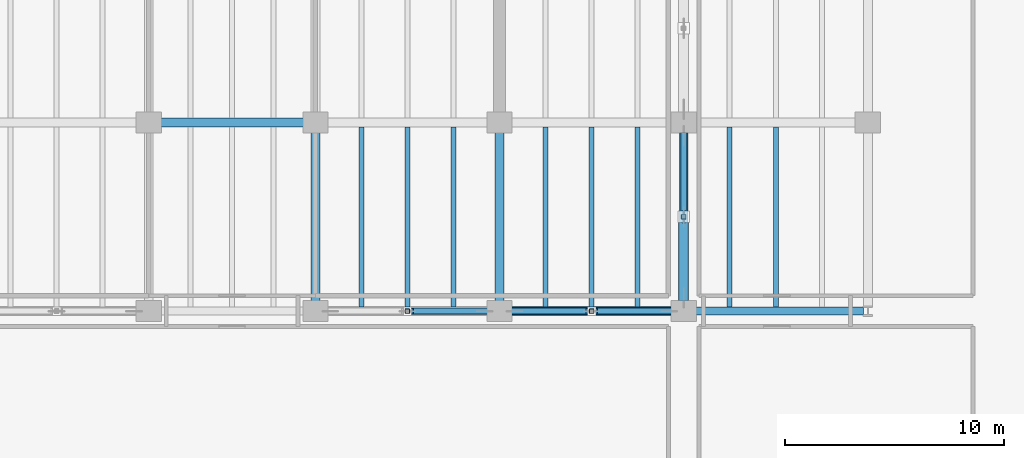
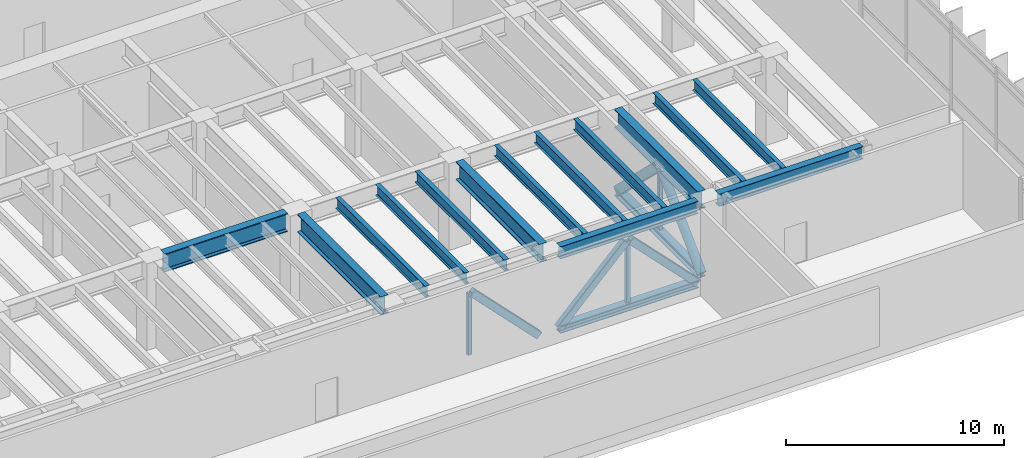
# One storey, part 6 of 21: 16 beams, 8 members.
"""IFC4 building model written with IfcOpenShell, lengths in metres."""

from ifc_helpers import new_model, si_unit, direction, frame, origin, origin_2d, place, context, subcontext, project, spatial, hollow_rectangle, hollow_circle, i_section, extrude, material, material_profile, profile_set, type_object, element, save


model = new_model("IFC4")

# Units and contexts
model_context = context("Model", 3, precision=1e-05, world=origin(), true_north=direction((0.0, 1.0)))
body_context = subcontext(model_context, "Body", "Model", "MODEL_VIEW")
ifc_project = project(units=[si_unit("LENGTHUNIT", "METRE"), si_unit("AREAUNIT", "SQUARE_METRE"), si_unit("VOLUMEUNIT", "CUBIC_METRE"), si_unit("PLANEANGLEUNIT", "RADIAN"), si_unit("MASSUNIT", "GRAM", prefix="KILO")], contexts=[model_context])

# Site, building, storey
site_placement = place(None, origin())
site = spatial("IfcSite", under=ifc_project, at=site_placement, CompositionType="ELEMENT")
building_placement = place(site_placement, origin())
building = spatial("IfcBuilding", under=site, at=building_placement, Name="Caelmar Bay Residences", CompositionType="ELEMENT")
storey_placement = place(building_placement, frame((0.0, 0.0, 79.5)))
storey = spatial("IfcBuildingStorey", under=building, at=storey_placement, Name="L21", CompositionType="ELEMENT", Elevation=79.5)

# Beams
ifc_material_1 = material(Name="Steel ASTM A992 Grade 50", Category="steel")
ifc_material_profile_1 = material_profile(ifc_material_1, i_section(OverallWidth=0.40087890625, OverallDepth=0.39892578125, WebThickness=0.02490234375, FlangeThickness=0.03955078125, FilletRadius=0.01513671875, at=origin_2d()), Name="W14X211")
ifc_profile_set_1 = profile_set([ifc_material_profile_1], Name="Steel ASTM A992 Grade 50")
beam_type_1 = type_object("IfcBeamType", Name="BM-CHD-W14X211", PredefinedType="BEAM", material=ifc_profile_set_1)
beam_1_placement = place(storey_placement, frame((59.5, 12.6650390625, 0.199462890625), z_axis=(0.0, 1.0, 0.0), x_axis=(-1.0, 0.0, 0.0)))
element("IfcBeam", 1, at=beam_1_placement, inside=storey, type_object=beam_type_1, Name="L21 Outrigger Bottom Chord 3", PredefinedType="BEAM", context=body_context, shape_type="SweptSolid", body=[
    extrude(i_section(OverallWidth=0.40087890625, OverallDepth=0.39892578125, WebThickness=0.02490234375, FlangeThickness=0.03955078125, FilletRadius=0.01513671875, at=origin_2d()), origin(), (0.0, 0.0, 1.0), 7.669921875),
])
beam_2_placement = place(storey_placement, frame((51.639892578125, 12.199951171875, 0.199462890625), z_axis=(1.0, 0.0, 0.0), x_axis=(0.0, 1.0, 0.0)))
element("IfcBeam", 2, at=beam_2_placement, inside=storey, type_object=beam_type_1, Name="L21 Belt-Truss Bottom Chord 4", PredefinedType="BEAM", context=body_context, shape_type="SweptSolid", body=[
    extrude(i_section(OverallWidth=0.40087890625, OverallDepth=0.39892578125, WebThickness=0.02490234375, FlangeThickness=0.03955078125, FilletRadius=0.01513671875, at=origin_2d()), origin(), (0.0, 0.0, 1.0), 7.320068359375),
])
ifc_material_profile_2 = material_profile(ifc_material_1, i_section(OverallWidth=0.404052734375, OverallDepth=1.02099609375, WebThickness=0.025390625, FlangeThickness=0.0458984375, FilletRadius=0.02294921875, at=origin_2d()), Name="W40X324")
ifc_profile_set_2 = profile_set([ifc_material_profile_2], Name="Steel ASTM A992 Grade 50")
beam_type_2 = type_object("IfcBeamType", Name="BM-GRD-W40X324", PredefinedType="BEAM", material=ifc_profile_set_2)
beam_3_placement = place(storey_placement, frame((35.639892578125, 20.800048828125, 4.339599609375), z_axis=(1.0, 0.0, 0.0), x_axis=(0.0, 1.0, 0.0)))
element("IfcBeam", 3, at=beam_3_placement, inside=storey, type_object=beam_type_2, Name="L21 East-West Girder Y=20.80 (35.1-42.7)", PredefinedType="BEAM", context=body_context, shape_type="SweptSolid", body=[
    extrude(i_section(OverallWidth=0.404052734375, OverallDepth=1.02099609375, WebThickness=0.025390625, FlangeThickness=0.0458984375, FilletRadius=0.02294921875, at=origin_2d()), origin(), (0.0, 0.0, 1.0), 6.52001953125),
])
for number, where, z_axis, x_axis, name in (
    (4, (42.699951171875, 12.6650390625, 4.339599609375), (0.0, 1.0, 0.0), (-1.0, 0.0, 0.0), "L21 North-South Girder X=42.70 (12.2-20.8)"),
    (5, (51.10009765625, 12.6650390625, 4.339599609375), (0.0, 1.0, 0.0), (-1.0, 0.0, 0.0), "L21 North-South Girder X=51.10 (12.2-20.8)"),
    (6, (59.5, 12.6650390625, 4.339599609375), (0.0, 1.0, 0.0), (-1.0, 0.0, 0.0), "L21 North-South Girder X=59.50 (12.2-20.8)"),
):
    element("IfcBeam", number, at=place(storey_placement, frame(where, z_axis=z_axis, x_axis=x_axis)), inside=storey, type_object=beam_type_2, Name=name, PredefinedType="BEAM", context=body_context, shape_type="SweptSolid", body=[
        extrude(i_section(OverallWidth=0.404052734375, OverallDepth=1.02099609375, WebThickness=0.025390625, FlangeThickness=0.0458984375, FilletRadius=0.02294921875, at=origin_2d()), origin(), (0.0, 0.0, 1.0), 7.669921875),
    ])
ifc_material_profile_3 = material_profile(ifc_material_1, i_section(OverallWidth=0.22900390625, OverallDepth=0.612060546875, WebThickness=0.011962890625, FlangeThickness=0.01953125, FilletRadius=0.0126953125, at=origin_2d()), Name="W24X84")
ifc_profile_set_3 = profile_set([ifc_material_profile_3], Name="Steel ASTM A992 Grade 50")
beam_type_3 = type_object("IfcBeamType", Name="BM-JST-W24X84", PredefinedType="JOIST", material=ifc_profile_set_3)
for number, where, z_axis, x_axis, name in (
    (7, (44.800048828125, 12.3779296875, 4.5439453125), (0.0, 1.0, 0.0), (-1.0, 0.0, 0.0), "L21 Composite Floor Joist 13"),
    (8, (46.89990234375, 12.3779296875, 4.5439453125), (0.0, 1.0, 0.0), (-1.0, 0.0, 0.0), "L21 Composite Floor Joist 14"),
    (9, (49.0, 12.3779296875, 4.5439453125), (0.0, 1.0, 0.0), (-1.0, 0.0, 0.0), "L21 Composite Floor Joist 15"),
    (10, (53.199951171875, 12.3779296875, 4.5439453125), (0.0, 1.0, 0.0), (-1.0, 0.0, 0.0), "L21 Composite Floor Joist 16"),
    (11, (55.300048828125, 12.3779296875, 4.5439453125), (0.0, 1.0, 0.0), (-1.0, 0.0, 0.0), "L21 Composite Floor Joist 17"),
    (12, (57.39990234375, 12.3779296875, 4.5439453125), (0.0, 1.0, 0.0), (-1.0, 0.0, 0.0), "L21 Composite Floor Joist 18"),
    (13, (61.60009765625, 12.3779296875, 4.5439453125), (0.0, 1.0, 0.0), (-1.0, 0.0, 0.0), "L21 Composite Floor Joist 19"),
    (14, (63.699951171875, 12.3779296875, 4.5439453125), (0.0, 1.0, 0.0), (-1.0, 0.0, 0.0), "L21 Composite Floor Joist 20"),
):
    element("IfcBeam", number, at=place(storey_placement, frame(where, z_axis=z_axis, x_axis=x_axis)), inside=storey, type_object=beam_type_3, Name=name, PredefinedType="JOIST", context=body_context, shape_type="SweptSolid", body=[
        extrude(i_section(OverallWidth=0.22900390625, OverallDepth=0.612060546875, WebThickness=0.011962890625, FlangeThickness=0.01953125, FilletRadius=0.0126953125, at=origin_2d()), origin(), (0.0, 0.0, 1.0), 8.219970703125),
    ])
ifc_material_profile_4 = material_profile(ifc_material_1, i_section(OverallWidth=0.35595703125, OverallDepth=0.696044921875, WebThickness=0.015380859375, FlangeThickness=0.02490234375, FilletRadius=0.01513671875, at=origin_2d()), Name="W27X146")
ifc_profile_set_4 = profile_set([ifc_material_profile_4], Name="Steel ASTM A992 Grade 50")
beam_type_4 = type_object("IfcBeamType", Name="BM-SPN-W27X146", PredefinedType="SPANDREL", material=ifc_profile_set_4)
beam_4_placement = place(storey_placement, frame((51.639892578125, 12.199951171875, 4.501953125), z_axis=(1.0, 0.0, 0.0), x_axis=(0.0, 1.0, 0.0)))
element("IfcBeam", 15, at=beam_4_placement, inside=storey, type_object=beam_type_4, Name="L21 East-West Girder Y=12.20 (51.1-59.5)", PredefinedType="SPANDREL", context=body_context, shape_type="SweptSolid", body=[
    extrude(i_section(OverallWidth=0.35595703125, OverallDepth=0.696044921875, WebThickness=0.015380859375, FlangeThickness=0.02490234375, FilletRadius=0.01513671875, at=origin_2d()), origin(), (0.0, 0.0, 1.0), 7.320068359375),
])
beam_5_placement = place(storey_placement, frame((60.0400390625, 12.199951171875, 4.501953125), z_axis=(1.0, 0.0, 0.0), x_axis=(0.0, 1.0, 0.0)))
element("IfcBeam", 16, at=beam_5_placement, inside=storey, type_object=beam_type_4, Name="L21 East-West Girder Y=12.20 (59.5-67.9)", PredefinedType="SPANDREL", context=body_context, shape_type="SweptSolid", body=[
    extrude(i_section(OverallWidth=0.35595703125, OverallDepth=0.696044921875, WebThickness=0.015380859375, FlangeThickness=0.02490234375, FilletRadius=0.01513671875, at=origin_2d()), origin(), (0.0, 0.0, 1.0), 7.657958984375),
])

# Members
ifc_material_2 = material(Name="Steel ASTM A500 Grade C", Category="steel")
ifc_material_profile_5 = material_profile(ifc_material_2, hollow_rectangle(XDim=0.304931640625, YDim=0.406005859375, WallThickness=0.017578125, InnerFilletRadius=0.017578125, OuterFilletRadius=0.035400390625, at=origin_2d()), Name="HSS400X300X19.1")
ifc_profile_set_5 = profile_set([ifc_material_profile_5], Name="Steel ASTM A500 Grade C")
member_type_1 = type_object("IfcMemberType", Name="MEM-BRC-HSS400X300", PredefinedType="BRACE", material=ifc_profile_set_5)
for number, where, z_axis, x_axis, name in (
    (17, (50.56005859375, 12.199951171875, 0.219970703125), (-0.698769347528, 0.0, 0.715347047911), (0.0, -1.0, 0.0), "L21 Belt-Truss Chevron 3B"),
    (18, (51.639892578125, 12.199951171875, 0.219970703125), (0.698769347528, 0.0, 0.715347047911), (0.0, 1.0, 0.0), "L21 Belt-Truss Chevron 4A"),
    (19, (58.9599609375, 12.199951171875, 0.219970703125), (-0.698769347528, 0.0, 0.715347047911), (0.0, -1.0, 0.0), "L21 Belt-Truss Chevron 4B"),
):
    element("IfcMember", number, at=place(storey_placement, frame(where, z_axis=z_axis, x_axis=x_axis)), inside=storey, type_object=member_type_1, Name=name, PredefinedType="BRACE", context=body_context, shape_type="SweptSolid", body=[
        extrude(hollow_rectangle(XDim=0.304931640625, YDim=0.406005859375, WallThickness=0.017578125, InnerFilletRadius=0.017578125, OuterFilletRadius=0.035400390625, at=origin_2d()), origin(), (0.0, 0.0, 1.0), 5.066162109375),
    ])
ifc_material_profile_6 = material_profile(ifc_material_2, hollow_rectangle(XDim=0.304931640625, YDim=0.508056640625, WallThickness=0.017578125, InnerFilletRadius=0.017578125, OuterFilletRadius=0.035400390625, at=origin_2d()), Name="HSS500X300X19.1")
ifc_profile_set_6 = profile_set([ifc_material_profile_6], Name="Steel ASTM A500 Grade C")
member_type_2 = type_object("IfcMemberType", Name="MEM-CHD-HSS500X300", PredefinedType="CHORD", material=ifc_profile_set_6)
member_1_placement = place(storey_placement, frame((59.5, 20.3349609375, 0.219970703125), z_axis=(0.0, -0.715802594687, 0.698302688981), x_axis=(1.0, 0.0, 0.0)))
element("IfcMember", 20, at=member_1_placement, inside=storey, type_object=member_type_2, Name="L21 Outrigger Secondary Diagonal 3B", PredefinedType="CHORD", context=body_context, shape_type="SweptSolid", body=[
    extrude(hollow_rectangle(XDim=0.304931640625, YDim=0.508056640625, WallThickness=0.017578125, InnerFilletRadius=0.017578125, OuterFilletRadius=0.035400390625, at=origin_2d()), origin(), (0.0, 0.0, 1.0), 5.189697265625),
])
ifc_material_3 = material(Name="Steel ASTM A53 Grade B", Category="steel")
ifc_material_profile_7 = material_profile(ifc_material_3, hollow_circle(Radius=0.228515625, WallThickness=0.023681640625, at=origin_2d()), Name="CHS457X25.4")
ifc_profile_set_7 = profile_set([ifc_material_profile_7], Name="Steel ASTM A53 Grade B")
member_type_3 = type_object("IfcMemberType", Name="MEM-OUT-CHS457", PredefinedType="BRACE", material=ifc_profile_set_7)
member_2_placement = place(storey_placement, frame((59.5, 12.6650390625, 0.219970703125), z_axis=(0.0, 0.715802594687, 0.698302688981), x_axis=(-1.0, 0.0, 0.0)))
element("IfcMember", 21, at=member_2_placement, inside=storey, type_object=member_type_3, Name="L21 Outrigger Diagonal 3A", PredefinedType="BRACE", context=body_context, shape_type="SweptSolid", body=[
    extrude(hollow_circle(Radius=0.228515625, WallThickness=0.023681640625, at=origin_2d()), origin(), (0.0, 0.0, 1.0), 5.189697265625),
])
ifc_material_profile_8 = material_profile(ifc_material_2, hollow_rectangle(XDim=0.202880859375, YDim=0.202880859375, WallThickness=0.01171875, InnerFilletRadius=0.01171875, OuterFilletRadius=0.023681640625, at=origin_2d()), Name="HSS200X200X12.7")
ifc_profile_set_8 = profile_set([ifc_material_profile_8], Name="Steel ASTM A500 Grade C")
member_type_4 = type_object("IfcMemberType", Name="MEM-PST-HSS200", PredefinedType="POST", material=ifc_profile_set_8)
for number, where, z_axis, x_axis, name in (
    (22, (59.5, 16.5, 0.39892578125), (0.0, 0.0, 1.0), (1.0, 0.0, 0.0), "L21 Outrigger Web Post 3"),
    (23, (46.89990234375, 12.199951171875, 0.39892578125), (0.0, 0.0, 1.0), (1.0, 0.0, 0.0), "L21 Belt-Truss Vertical Post 3"),
    (24, (55.300048828125, 12.199951171875, 0.39892578125), (0.0, 0.0, 1.0), (1.0, 0.0, 0.0), "L21 Belt-Truss Vertical Post 4"),
):
    element("IfcMember", number, at=place(storey_placement, frame(where, z_axis=z_axis, x_axis=x_axis)), inside=storey, type_object=member_type_4, Name=name, PredefinedType="POST", context=body_context, shape_type="SweptSolid", body=[
        extrude(hollow_rectangle(XDim=0.202880859375, YDim=0.202880859375, WallThickness=0.01171875, InnerFilletRadius=0.01171875, OuterFilletRadius=0.023681640625, at=origin_2d()), origin(), (0.0, 0.0, 1.0), 3.445068359375),
    ])

save(model, "model.ifc")
